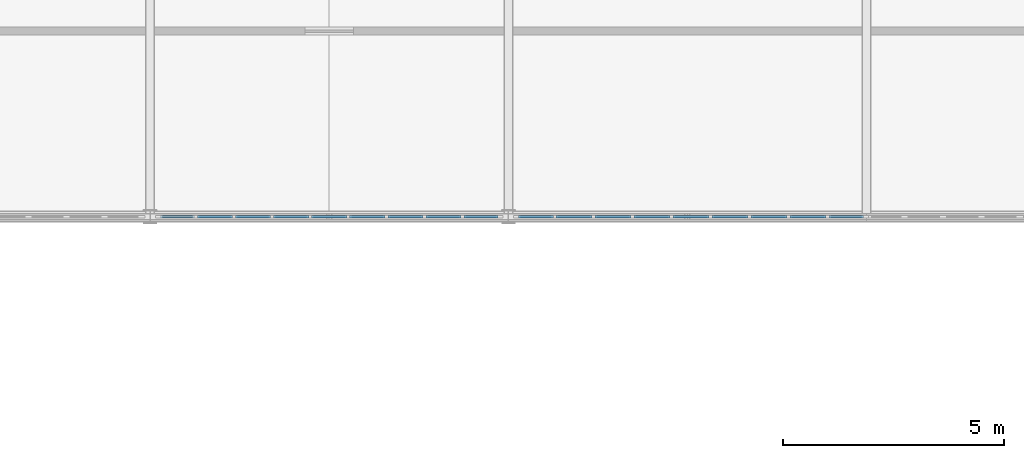
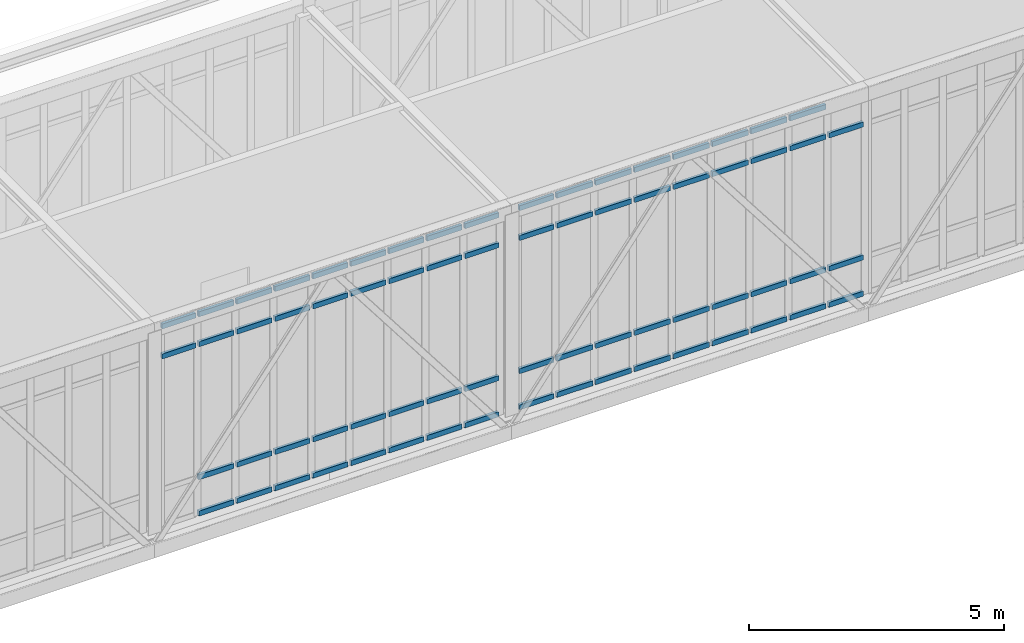
# One storey, part 57 of 107: 69 members, 2 elements without a shape of their own.
"""IFC4 building model written with IfcOpenShell, lengths in metres."""

from ifc_helpers import new_model, si_unit, direction, frame, origin, origin_2d, place, context, subcontext, project, spatial, rectangle, extrude, material, material_profile, profile_set, type_object, element, aggregate, save


model = new_model("IFC4")

# Units and contexts
model_context = context("Model", 3, precision=1e-05, world=origin(), true_north=direction((0.0, 1.0)))
body_context = subcontext(model_context, "Body", "Model", "MODEL_VIEW")
ifc_project = project(units=[si_unit("LENGTHUNIT", "METRE"), si_unit("AREAUNIT", "SQUARE_METRE"), si_unit("VOLUMEUNIT", "CUBIC_METRE"), si_unit("PLANEANGLEUNIT", "RADIAN"), si_unit("MASSUNIT", "GRAM", prefix="KILO")], contexts=[model_context])

# Site, building, storey
site_placement = place(None, origin())
site = spatial("IfcSite", under=ifc_project, at=site_placement, CompositionType="ELEMENT")
building_placement = place(site_placement, origin())
building = spatial("IfcBuilding", under=site, at=building_placement, Name="Tarnveldt Square Police Headquarters", CompositionType="ELEMENT")
storey_placement = place(building_placement, frame((0.0, 0.0, 14.699951171875)))
storey = spatial("IfcBuildingStorey", under=building, at=storey_placement, Name="L03", CompositionType="ELEMENT", Elevation=14.699951171875)

# Curtain wall, members
ifc_material_1 = material(Name="Triple-glazed low-e laminated vision glass", Category="glass")
curtain_wall_type_1 = type_object("IfcCurtainWallType", Name="CW-SB-776x484", PredefinedType="USERDEFINED", material=ifc_material_1)
curtain_wall_1_placement = place(storey_placement, origin())
curtain_wall_1 = element("IfcCurtainWall", 1, at=curtain_wall_1_placement, inside=storey, type_object=curtain_wall_type_1, Name="L03 Curtain Wall CW-L03-155", ObjectType="GLAZED CURTAIN WALL", PredefinedType="USERDEFINED")
ifc_material_2 = material(Name="Thermally broken anodised aluminium 6063-T6", Category="aluminium")
ifc_material_profile = material_profile(ifc_material_2, rectangle(XDim=0.06494140625, YDim=0.1201171875, at=origin_2d()), Name="CW-T65x120")
ifc_profile_set = profile_set([ifc_material_profile], Name="Thermally broken anodised aluminium 6063-T6")
member_type = type_object("IfcMemberType", Name="CWT-65x120", PredefinedType="USERDEFINED", material=ifc_profile_set)
member_1_placement = place(storey_placement, frame((73.134033203125, 72.0, 4.090087890625), z_axis=(1.0, 0.0, 0.0), x_axis=(0.0, 1.0, 0.0)))
member_1 = element("IfcMember", 2, at=member_1_placement, type_object=member_type, Name="CW-SB90 transom 1.3", ObjectType="TRANSOM", PredefinedType="USERDEFINED", context=body_context, shape_type="SweptSolid", body=[
    extrude(rectangle(XDim=0.06494140625, YDim=0.1201171875, at=origin_2d()), origin(), (0.0, 0.0, 1.0), 0.764892578125),
])
member_2_placement = place(storey_placement, frame((73.134033203125, 72.0, 4.8076171875), z_axis=(1.0, 0.0, 0.0), x_axis=(0.0, 1.0, 0.0)))
member_2 = element("IfcMember", 3, at=member_2_placement, type_object=member_type, Name="CW-SB90 transom 1.4", ObjectType="TRANSOM", PredefinedType="USERDEFINED", context=body_context, shape_type="SweptSolid", body=[
    extrude(rectangle(XDim=0.06494140625, YDim=0.1201171875, at=origin_2d()), origin(), (0.0, 0.0, 1.0), 0.764892578125),
])
member_3_placement = place(storey_placement, frame((73.9638671875, 72.0, 0.032470703125), z_axis=(1.0, 0.0, 0.0), x_axis=(0.0, 1.0, 0.0)))
member_3 = element("IfcMember", 4, at=member_3_placement, type_object=member_type, Name="CW-SB90 transom 2.1", ObjectType="TRANSOM", PredefinedType="USERDEFINED", context=body_context, shape_type="SweptSolid", body=[
    extrude(rectangle(XDim=0.06494140625, YDim=0.1201171875, at=origin_2d()), origin(), (0.0, 0.0, 1.0), 0.797607421875),
])
member_4_placement = place(storey_placement, frame((73.9638671875, 72.0, 0.900146484375), z_axis=(1.0, 0.0, 0.0), x_axis=(0.0, 1.0, 0.0)))
member_4 = element("IfcMember", 5, at=member_4_placement, type_object=member_type, Name="CW-SB90 transom 2.2", ObjectType="TRANSOM", PredefinedType="USERDEFINED", context=body_context, shape_type="SweptSolid", body=[
    extrude(rectangle(XDim=0.06494140625, YDim=0.1201171875, at=origin_2d()), origin(), (0.0, 0.0, 1.0), 0.797607421875),
])
member_5_placement = place(storey_placement, frame((73.9638671875, 72.0, 4.090087890625), z_axis=(1.0, 0.0, 0.0), x_axis=(0.0, 1.0, 0.0)))
member_5 = element("IfcMember", 6, at=member_5_placement, type_object=member_type, Name="CW-SB90 transom 2.3", ObjectType="TRANSOM", PredefinedType="USERDEFINED", context=body_context, shape_type="SweptSolid", body=[
    extrude(rectangle(XDim=0.06494140625, YDim=0.1201171875, at=origin_2d()), origin(), (0.0, 0.0, 1.0), 0.797607421875),
])
member_6_placement = place(storey_placement, frame((73.9638671875, 72.0, 4.8076171875), z_axis=(1.0, 0.0, 0.0), x_axis=(0.0, 1.0, 0.0)))
member_6 = element("IfcMember", 7, at=member_6_placement, type_object=member_type, Name="CW-SB90 transom 2.4", ObjectType="TRANSOM", PredefinedType="USERDEFINED", context=body_context, shape_type="SweptSolid", body=[
    extrude(rectangle(XDim=0.06494140625, YDim=0.1201171875, at=origin_2d()), origin(), (0.0, 0.0, 1.0), 0.797607421875),
])
member_7_placement = place(storey_placement, frame((74.826416015625, 72.0, 0.032470703125), z_axis=(1.0, 0.0, 0.0), x_axis=(0.0, 1.0, 0.0)))
member_7 = element("IfcMember", 8, at=member_7_placement, type_object=member_type, Name="CW-SB90 transom 3.1", ObjectType="TRANSOM", PredefinedType="USERDEFINED", context=body_context, shape_type="SweptSolid", body=[
    extrude(rectangle(XDim=0.06494140625, YDim=0.1201171875, at=origin_2d()), origin(), (0.0, 0.0, 1.0), 0.79736328125),
])
member_8_placement = place(storey_placement, frame((74.826416015625, 72.0, 0.900146484375), z_axis=(1.0, 0.0, 0.0), x_axis=(0.0, 1.0, 0.0)))
member_8 = element("IfcMember", 9, at=member_8_placement, type_object=member_type, Name="CW-SB90 transom 3.2", ObjectType="TRANSOM", PredefinedType="USERDEFINED", context=body_context, shape_type="SweptSolid", body=[
    extrude(rectangle(XDim=0.06494140625, YDim=0.1201171875, at=origin_2d()), origin(), (0.0, 0.0, 1.0), 0.79736328125),
])
member_9_placement = place(storey_placement, frame((74.826416015625, 72.0, 4.090087890625), z_axis=(1.0, 0.0, 0.0), x_axis=(0.0, 1.0, 0.0)))
member_9 = element("IfcMember", 10, at=member_9_placement, type_object=member_type, Name="CW-SB90 transom 3.3", ObjectType="TRANSOM", PredefinedType="USERDEFINED", context=body_context, shape_type="SweptSolid", body=[
    extrude(rectangle(XDim=0.06494140625, YDim=0.1201171875, at=origin_2d()), origin(), (0.0, 0.0, 1.0), 0.79736328125),
])
member_10_placement = place(storey_placement, frame((74.826416015625, 72.0, 4.8076171875), z_axis=(1.0, 0.0, 0.0), x_axis=(0.0, 1.0, 0.0)))
member_10 = element("IfcMember", 11, at=member_10_placement, type_object=member_type, Name="CW-SB90 transom 3.4", ObjectType="TRANSOM", PredefinedType="USERDEFINED", context=body_context, shape_type="SweptSolid", body=[
    extrude(rectangle(XDim=0.06494140625, YDim=0.1201171875, at=origin_2d()), origin(), (0.0, 0.0, 1.0), 0.79736328125),
])
member_11_placement = place(storey_placement, frame((75.688720703125, 72.0, 0.032470703125), z_axis=(1.0, 0.0, 0.0), x_axis=(0.0, 1.0, 0.0)))
member_11 = element("IfcMember", 12, at=member_11_placement, type_object=member_type, Name="CW-SB90 transom 4.1", ObjectType="TRANSOM", PredefinedType="USERDEFINED", context=body_context, shape_type="SweptSolid", body=[
    extrude(rectangle(XDim=0.06494140625, YDim=0.1201171875, at=origin_2d()), origin(), (0.0, 0.0, 1.0), 0.797607421875),
])
member_12_placement = place(storey_placement, frame((75.688720703125, 72.0, 0.900146484375), z_axis=(1.0, 0.0, 0.0), x_axis=(0.0, 1.0, 0.0)))
member_12 = element("IfcMember", 13, at=member_12_placement, type_object=member_type, Name="CW-SB90 transom 4.2", ObjectType="TRANSOM", PredefinedType="USERDEFINED", context=body_context, shape_type="SweptSolid", body=[
    extrude(rectangle(XDim=0.06494140625, YDim=0.1201171875, at=origin_2d()), origin(), (0.0, 0.0, 1.0), 0.797607421875),
])
member_13_placement = place(storey_placement, frame((75.688720703125, 72.0, 4.090087890625), z_axis=(1.0, 0.0, 0.0), x_axis=(0.0, 1.0, 0.0)))
member_13 = element("IfcMember", 14, at=member_13_placement, type_object=member_type, Name="CW-SB90 transom 4.3", ObjectType="TRANSOM", PredefinedType="USERDEFINED", context=body_context, shape_type="SweptSolid", body=[
    extrude(rectangle(XDim=0.06494140625, YDim=0.1201171875, at=origin_2d()), origin(), (0.0, 0.0, 1.0), 0.797607421875),
])
member_14_placement = place(storey_placement, frame((75.688720703125, 72.0, 4.8076171875), z_axis=(1.0, 0.0, 0.0), x_axis=(0.0, 1.0, 0.0)))
member_14 = element("IfcMember", 15, at=member_14_placement, type_object=member_type, Name="CW-SB90 transom 4.4", ObjectType="TRANSOM", PredefinedType="USERDEFINED", context=body_context, shape_type="SweptSolid", body=[
    extrude(rectangle(XDim=0.06494140625, YDim=0.1201171875, at=origin_2d()), origin(), (0.0, 0.0, 1.0), 0.797607421875),
])
member_15_placement = place(storey_placement, frame((76.55126953125, 72.0, 0.032470703125), z_axis=(1.0, 0.0, 0.0), x_axis=(0.0, 1.0, 0.0)))
member_15 = element("IfcMember", 16, at=member_15_placement, type_object=member_type, Name="CW-SB90 transom 5.1", ObjectType="TRANSOM", PredefinedType="USERDEFINED", context=body_context, shape_type="SweptSolid", body=[
    extrude(rectangle(XDim=0.06494140625, YDim=0.1201171875, at=origin_2d()), origin(), (0.0, 0.0, 1.0), 0.79736328125),
])
member_16_placement = place(storey_placement, frame((76.55126953125, 72.0, 0.900146484375), z_axis=(1.0, 0.0, 0.0), x_axis=(0.0, 1.0, 0.0)))
member_16 = element("IfcMember", 17, at=member_16_placement, type_object=member_type, Name="CW-SB90 transom 5.2", ObjectType="TRANSOM", PredefinedType="USERDEFINED", context=body_context, shape_type="SweptSolid", body=[
    extrude(rectangle(XDim=0.06494140625, YDim=0.1201171875, at=origin_2d()), origin(), (0.0, 0.0, 1.0), 0.79736328125),
])
member_17_placement = place(storey_placement, frame((76.55126953125, 72.0, 4.090087890625), z_axis=(1.0, 0.0, 0.0), x_axis=(0.0, 1.0, 0.0)))
member_17 = element("IfcMember", 18, at=member_17_placement, type_object=member_type, Name="CW-SB90 transom 5.3", ObjectType="TRANSOM", PredefinedType="USERDEFINED", context=body_context, shape_type="SweptSolid", body=[
    extrude(rectangle(XDim=0.06494140625, YDim=0.1201171875, at=origin_2d()), origin(), (0.0, 0.0, 1.0), 0.79736328125),
])
member_18_placement = place(storey_placement, frame((76.55126953125, 72.0, 4.8076171875), z_axis=(1.0, 0.0, 0.0), x_axis=(0.0, 1.0, 0.0)))
member_18 = element("IfcMember", 19, at=member_18_placement, type_object=member_type, Name="CW-SB90 transom 5.4", ObjectType="TRANSOM", PredefinedType="USERDEFINED", context=body_context, shape_type="SweptSolid", body=[
    extrude(rectangle(XDim=0.06494140625, YDim=0.1201171875, at=origin_2d()), origin(), (0.0, 0.0, 1.0), 0.79736328125),
])
member_19_placement = place(storey_placement, frame((77.413818359375, 72.0, 0.032470703125), z_axis=(1.0, 0.0, 0.0), x_axis=(0.0, 1.0, 0.0)))
member_19 = element("IfcMember", 20, at=member_19_placement, type_object=member_type, Name="CW-SB90 transom 6.1", ObjectType="TRANSOM", PredefinedType="USERDEFINED", context=body_context, shape_type="SweptSolid", body=[
    extrude(rectangle(XDim=0.06494140625, YDim=0.1201171875, at=origin_2d()), origin(), (0.0, 0.0, 1.0), 0.79736328125),
])
member_20_placement = place(storey_placement, frame((77.413818359375, 72.0, 0.900146484375), z_axis=(1.0, 0.0, 0.0), x_axis=(0.0, 1.0, 0.0)))
member_20 = element("IfcMember", 21, at=member_20_placement, type_object=member_type, Name="CW-SB90 transom 6.2", ObjectType="TRANSOM", PredefinedType="USERDEFINED", context=body_context, shape_type="SweptSolid", body=[
    extrude(rectangle(XDim=0.06494140625, YDim=0.1201171875, at=origin_2d()), origin(), (0.0, 0.0, 1.0), 0.79736328125),
])
member_21_placement = place(storey_placement, frame((77.413818359375, 72.0, 4.090087890625), z_axis=(1.0, 0.0, 0.0), x_axis=(0.0, 1.0, 0.0)))
member_21 = element("IfcMember", 22, at=member_21_placement, type_object=member_type, Name="CW-SB90 transom 6.3", ObjectType="TRANSOM", PredefinedType="USERDEFINED", context=body_context, shape_type="SweptSolid", body=[
    extrude(rectangle(XDim=0.06494140625, YDim=0.1201171875, at=origin_2d()), origin(), (0.0, 0.0, 1.0), 0.79736328125),
])
member_22_placement = place(storey_placement, frame((77.413818359375, 72.0, 4.8076171875), z_axis=(1.0, 0.0, 0.0), x_axis=(0.0, 1.0, 0.0)))
member_22 = element("IfcMember", 23, at=member_22_placement, type_object=member_type, Name="CW-SB90 transom 6.4", ObjectType="TRANSOM", PredefinedType="USERDEFINED", context=body_context, shape_type="SweptSolid", body=[
    extrude(rectangle(XDim=0.06494140625, YDim=0.1201171875, at=origin_2d()), origin(), (0.0, 0.0, 1.0), 0.79736328125),
])
member_23_placement = place(storey_placement, frame((78.276123046875, 72.0, 0.032470703125), z_axis=(1.0, 0.0, 0.0), x_axis=(0.0, 1.0, 0.0)))
member_23 = element("IfcMember", 24, at=member_23_placement, type_object=member_type, Name="CW-SB90 transom 7.1", ObjectType="TRANSOM", PredefinedType="USERDEFINED", context=body_context, shape_type="SweptSolid", body=[
    extrude(rectangle(XDim=0.06494140625, YDim=0.1201171875, at=origin_2d()), origin(), (0.0, 0.0, 1.0), 0.797607421875),
])
member_24_placement = place(storey_placement, frame((78.276123046875, 72.0, 0.900146484375), z_axis=(1.0, 0.0, 0.0), x_axis=(0.0, 1.0, 0.0)))
member_24 = element("IfcMember", 25, at=member_24_placement, type_object=member_type, Name="CW-SB90 transom 7.2", ObjectType="TRANSOM", PredefinedType="USERDEFINED", context=body_context, shape_type="SweptSolid", body=[
    extrude(rectangle(XDim=0.06494140625, YDim=0.1201171875, at=origin_2d()), origin(), (0.0, 0.0, 1.0), 0.797607421875),
])
member_25_placement = place(storey_placement, frame((78.276123046875, 72.0, 4.090087890625), z_axis=(1.0, 0.0, 0.0), x_axis=(0.0, 1.0, 0.0)))
member_25 = element("IfcMember", 26, at=member_25_placement, type_object=member_type, Name="CW-SB90 transom 7.3", ObjectType="TRANSOM", PredefinedType="USERDEFINED", context=body_context, shape_type="SweptSolid", body=[
    extrude(rectangle(XDim=0.06494140625, YDim=0.1201171875, at=origin_2d()), origin(), (0.0, 0.0, 1.0), 0.797607421875),
])
member_26_placement = place(storey_placement, frame((78.276123046875, 72.0, 4.8076171875), z_axis=(1.0, 0.0, 0.0), x_axis=(0.0, 1.0, 0.0)))
member_26 = element("IfcMember", 27, at=member_26_placement, type_object=member_type, Name="CW-SB90 transom 7.4", ObjectType="TRANSOM", PredefinedType="USERDEFINED", context=body_context, shape_type="SweptSolid", body=[
    extrude(rectangle(XDim=0.06494140625, YDim=0.1201171875, at=origin_2d()), origin(), (0.0, 0.0, 1.0), 0.797607421875),
])
member_27_placement = place(storey_placement, frame((79.138671875, 72.0, 0.032470703125), z_axis=(1.0, 0.0, 0.0), x_axis=(0.0, 1.0, 0.0)))
member_27 = element("IfcMember", 28, at=member_27_placement, type_object=member_type, Name="CW-SB90 transom 8.1", ObjectType="TRANSOM", PredefinedType="USERDEFINED", context=body_context, shape_type="SweptSolid", body=[
    extrude(rectangle(XDim=0.06494140625, YDim=0.1201171875, at=origin_2d()), origin(), (0.0, 0.0, 1.0), 0.79736328125),
])
member_28_placement = place(storey_placement, frame((79.138671875, 72.0, 0.900146484375), z_axis=(1.0, 0.0, 0.0), x_axis=(0.0, 1.0, 0.0)))
member_28 = element("IfcMember", 29, at=member_28_placement, type_object=member_type, Name="CW-SB90 transom 8.2", ObjectType="TRANSOM", PredefinedType="USERDEFINED", context=body_context, shape_type="SweptSolid", body=[
    extrude(rectangle(XDim=0.06494140625, YDim=0.1201171875, at=origin_2d()), origin(), (0.0, 0.0, 1.0), 0.79736328125),
])
member_29_placement = place(storey_placement, frame((79.138671875, 72.0, 4.090087890625), z_axis=(1.0, 0.0, 0.0), x_axis=(0.0, 1.0, 0.0)))
member_29 = element("IfcMember", 30, at=member_29_placement, type_object=member_type, Name="CW-SB90 transom 8.3", ObjectType="TRANSOM", PredefinedType="USERDEFINED", context=body_context, shape_type="SweptSolid", body=[
    extrude(rectangle(XDim=0.06494140625, YDim=0.1201171875, at=origin_2d()), origin(), (0.0, 0.0, 1.0), 0.79736328125),
])
member_30_placement = place(storey_placement, frame((79.138671875, 72.0, 4.8076171875), z_axis=(1.0, 0.0, 0.0), x_axis=(0.0, 1.0, 0.0)))
member_30 = element("IfcMember", 31, at=member_30_placement, type_object=member_type, Name="CW-SB90 transom 8.4", ObjectType="TRANSOM", PredefinedType="USERDEFINED", context=body_context, shape_type="SweptSolid", body=[
    extrude(rectangle(XDim=0.06494140625, YDim=0.1201171875, at=origin_2d()), origin(), (0.0, 0.0, 1.0), 0.79736328125),
])
member_31_placement = place(storey_placement, frame((80.0009765625, 72.0, 0.032470703125), z_axis=(1.0, 0.0, 0.0), x_axis=(0.0, 1.0, 0.0)))
member_31 = element("IfcMember", 32, at=member_31_placement, type_object=member_type, Name="CW-SB90 transom 9.1", ObjectType="TRANSOM", PredefinedType="USERDEFINED", context=body_context, shape_type="SweptSolid", body=[
    extrude(rectangle(XDim=0.06494140625, YDim=0.1201171875, at=origin_2d()), origin(), (0.0, 0.0, 1.0), 0.76513671875),
])
member_32_placement = place(storey_placement, frame((80.0009765625, 72.0, 0.900146484375), z_axis=(1.0, 0.0, 0.0), x_axis=(0.0, 1.0, 0.0)))
member_32 = element("IfcMember", 33, at=member_32_placement, type_object=member_type, Name="CW-SB90 transom 9.2", ObjectType="TRANSOM", PredefinedType="USERDEFINED", context=body_context, shape_type="SweptSolid", body=[
    extrude(rectangle(XDim=0.06494140625, YDim=0.1201171875, at=origin_2d()), origin(), (0.0, 0.0, 1.0), 0.76513671875),
])
member_33_placement = place(storey_placement, frame((80.0009765625, 72.0, 4.090087890625), z_axis=(1.0, 0.0, 0.0), x_axis=(0.0, 1.0, 0.0)))
member_33 = element("IfcMember", 34, at=member_33_placement, type_object=member_type, Name="CW-SB90 transom 9.3", ObjectType="TRANSOM", PredefinedType="USERDEFINED", context=body_context, shape_type="SweptSolid", body=[
    extrude(rectangle(XDim=0.06494140625, YDim=0.1201171875, at=origin_2d()), origin(), (0.0, 0.0, 1.0), 0.76513671875),
])
member_34_placement = place(storey_placement, frame((80.0009765625, 72.0, 4.8076171875), z_axis=(1.0, 0.0, 0.0), x_axis=(0.0, 1.0, 0.0)))
member_34 = element("IfcMember", 35, at=member_34_placement, type_object=member_type, Name="CW-SB90 transom 9.4", ObjectType="TRANSOM", PredefinedType="USERDEFINED", context=body_context, shape_type="SweptSolid", body=[
    extrude(rectangle(XDim=0.06494140625, YDim=0.1201171875, at=origin_2d()), origin(), (0.0, 0.0, 1.0), 0.76513671875),
])
aggregate(curtain_wall_1, [member_1, member_2, member_3, member_4, member_5, member_6, member_7, member_8, member_9, member_10, member_11, member_12, member_13, member_14, member_15, member_16, member_17, member_18, member_19, member_20, member_21, member_22, member_23, member_24, member_25, member_26, member_27, member_28, member_29, member_30, member_31, member_32, member_33, member_34])

curtain_wall_type_2 = type_object("IfcCurtainWallType", Name="CW-SB-793x484", PredefinedType="USERDEFINED", material=ifc_material_1)
curtain_wall_2_placement = place(storey_placement, origin())
curtain_wall_2 = element("IfcCurtainWall", 36, at=curtain_wall_2_placement, inside=storey, type_object=curtain_wall_type_2, Name="L03 Curtain Wall CW-L03-156", ObjectType="GLAZED CURTAIN WALL", PredefinedType="USERDEFINED")
member_35_placement = place(storey_placement, frame((81.23388671875, 72.0, 0.032470703125), z_axis=(1.0, 0.0, 0.0), x_axis=(0.0, 1.0, 0.0)))
member_35 = element("IfcMember", 37, at=member_35_placement, type_object=member_type, Name="CW-SB91 transom 1.1", ObjectType="TRANSOM", PredefinedType="USERDEFINED", context=body_context, shape_type="SweptSolid", body=[
    extrude(rectangle(XDim=0.06494140625, YDim=0.1201171875, at=origin_2d()), origin(), (0.0, 0.0, 1.0), 0.783935546875),
])
member_36_placement = place(storey_placement, frame((81.23388671875, 72.0, 0.900146484375), z_axis=(1.0, 0.0, 0.0), x_axis=(0.0, 1.0, 0.0)))
member_36 = element("IfcMember", 38, at=member_36_placement, type_object=member_type, Name="CW-SB91 transom 1.2", ObjectType="TRANSOM", PredefinedType="USERDEFINED", context=body_context, shape_type="SweptSolid", body=[
    extrude(rectangle(XDim=0.06494140625, YDim=0.1201171875, at=origin_2d()), origin(), (0.0, 0.0, 1.0), 0.783935546875),
])
member_37_placement = place(storey_placement, frame((81.23388671875, 72.0, 4.090087890625), z_axis=(1.0, 0.0, 0.0), x_axis=(0.0, 1.0, 0.0)))
member_37 = element("IfcMember", 39, at=member_37_placement, type_object=member_type, Name="CW-SB91 transom 1.3", ObjectType="TRANSOM", PredefinedType="USERDEFINED", context=body_context, shape_type="SweptSolid", body=[
    extrude(rectangle(XDim=0.06494140625, YDim=0.1201171875, at=origin_2d()), origin(), (0.0, 0.0, 1.0), 0.783935546875),
])
member_38_placement = place(storey_placement, frame((81.23388671875, 72.0, 4.8076171875), z_axis=(1.0, 0.0, 0.0), x_axis=(0.0, 1.0, 0.0)))
member_38 = element("IfcMember", 40, at=member_38_placement, type_object=member_type, Name="CW-SB91 transom 1.4", ObjectType="TRANSOM", PredefinedType="USERDEFINED", context=body_context, shape_type="SweptSolid", body=[
    extrude(rectangle(XDim=0.06494140625, YDim=0.1201171875, at=origin_2d()), origin(), (0.0, 0.0, 1.0), 0.783935546875),
])
member_39_placement = place(storey_placement, frame((82.082763671875, 72.0, 0.032470703125), z_axis=(1.0, 0.0, 0.0), x_axis=(0.0, 1.0, 0.0)))
member_39 = element("IfcMember", 41, at=member_39_placement, type_object=member_type, Name="CW-SB91 transom 2.1", ObjectType="TRANSOM", PredefinedType="USERDEFINED", context=body_context, shape_type="SweptSolid", body=[
    extrude(rectangle(XDim=0.06494140625, YDim=0.1201171875, at=origin_2d()), origin(), (0.0, 0.0, 1.0), 0.816162109375),
])
member_40_placement = place(storey_placement, frame((82.082763671875, 72.0, 0.900146484375), z_axis=(1.0, 0.0, 0.0), x_axis=(0.0, 1.0, 0.0)))
member_40 = element("IfcMember", 42, at=member_40_placement, type_object=member_type, Name="CW-SB91 transom 2.2", ObjectType="TRANSOM", PredefinedType="USERDEFINED", context=body_context, shape_type="SweptSolid", body=[
    extrude(rectangle(XDim=0.06494140625, YDim=0.1201171875, at=origin_2d()), origin(), (0.0, 0.0, 1.0), 0.816162109375),
])
member_41_placement = place(storey_placement, frame((82.082763671875, 72.0, 4.090087890625), z_axis=(1.0, 0.0, 0.0), x_axis=(0.0, 1.0, 0.0)))
member_41 = element("IfcMember", 43, at=member_41_placement, type_object=member_type, Name="CW-SB91 transom 2.3", ObjectType="TRANSOM", PredefinedType="USERDEFINED", context=body_context, shape_type="SweptSolid", body=[
    extrude(rectangle(XDim=0.06494140625, YDim=0.1201171875, at=origin_2d()), origin(), (0.0, 0.0, 1.0), 0.816162109375),
])
member_42_placement = place(storey_placement, frame((82.082763671875, 72.0, 4.8076171875), z_axis=(1.0, 0.0, 0.0), x_axis=(0.0, 1.0, 0.0)))
member_42 = element("IfcMember", 44, at=member_42_placement, type_object=member_type, Name="CW-SB91 transom 2.4", ObjectType="TRANSOM", PredefinedType="USERDEFINED", context=body_context, shape_type="SweptSolid", body=[
    extrude(rectangle(XDim=0.06494140625, YDim=0.1201171875, at=origin_2d()), origin(), (0.0, 0.0, 1.0), 0.816162109375),
])
member_43_placement = place(storey_placement, frame((82.9638671875, 72.0, 0.032470703125), z_axis=(1.0, 0.0, 0.0), x_axis=(0.0, 1.0, 0.0)))
member_43 = element("IfcMember", 45, at=member_43_placement, type_object=member_type, Name="CW-SB91 transom 3.1", ObjectType="TRANSOM", PredefinedType="USERDEFINED", context=body_context, shape_type="SweptSolid", body=[
    extrude(rectangle(XDim=0.06494140625, YDim=0.1201171875, at=origin_2d()), origin(), (0.0, 0.0, 1.0), 0.81640625),
])
member_44_placement = place(storey_placement, frame((82.9638671875, 72.0, 0.900146484375), z_axis=(1.0, 0.0, 0.0), x_axis=(0.0, 1.0, 0.0)))
member_44 = element("IfcMember", 46, at=member_44_placement, type_object=member_type, Name="CW-SB91 transom 3.2", ObjectType="TRANSOM", PredefinedType="USERDEFINED", context=body_context, shape_type="SweptSolid", body=[
    extrude(rectangle(XDim=0.06494140625, YDim=0.1201171875, at=origin_2d()), origin(), (0.0, 0.0, 1.0), 0.81640625),
])
member_45_placement = place(storey_placement, frame((82.9638671875, 72.0, 4.090087890625), z_axis=(1.0, 0.0, 0.0), x_axis=(0.0, 1.0, 0.0)))
member_45 = element("IfcMember", 47, at=member_45_placement, type_object=member_type, Name="CW-SB91 transom 3.3", ObjectType="TRANSOM", PredefinedType="USERDEFINED", context=body_context, shape_type="SweptSolid", body=[
    extrude(rectangle(XDim=0.06494140625, YDim=0.1201171875, at=origin_2d()), origin(), (0.0, 0.0, 1.0), 0.81640625),
])
member_46_placement = place(storey_placement, frame((82.9638671875, 72.0, 4.8076171875), z_axis=(1.0, 0.0, 0.0), x_axis=(0.0, 1.0, 0.0)))
member_46 = element("IfcMember", 48, at=member_46_placement, type_object=member_type, Name="CW-SB91 transom 3.4", ObjectType="TRANSOM", PredefinedType="USERDEFINED", context=body_context, shape_type="SweptSolid", body=[
    extrude(rectangle(XDim=0.06494140625, YDim=0.1201171875, at=origin_2d()), origin(), (0.0, 0.0, 1.0), 0.81640625),
])
member_47_placement = place(storey_placement, frame((83.84521484375, 72.0, 0.032470703125), z_axis=(1.0, 0.0, 0.0), x_axis=(0.0, 1.0, 0.0)))
member_47 = element("IfcMember", 49, at=member_47_placement, type_object=member_type, Name="CW-SB91 transom 4.1", ObjectType="TRANSOM", PredefinedType="USERDEFINED", context=body_context, shape_type="SweptSolid", body=[
    extrude(rectangle(XDim=0.06494140625, YDim=0.1201171875, at=origin_2d()), origin(), (0.0, 0.0, 1.0), 0.816162109375),
])
member_48_placement = place(storey_placement, frame((83.84521484375, 72.0, 0.900146484375), z_axis=(1.0, 0.0, 0.0), x_axis=(0.0, 1.0, 0.0)))
member_48 = element("IfcMember", 50, at=member_48_placement, type_object=member_type, Name="CW-SB91 transom 4.2", ObjectType="TRANSOM", PredefinedType="USERDEFINED", context=body_context, shape_type="SweptSolid", body=[
    extrude(rectangle(XDim=0.06494140625, YDim=0.1201171875, at=origin_2d()), origin(), (0.0, 0.0, 1.0), 0.816162109375),
])
member_49_placement = place(storey_placement, frame((83.84521484375, 72.0, 4.090087890625), z_axis=(1.0, 0.0, 0.0), x_axis=(0.0, 1.0, 0.0)))
member_49 = element("IfcMember", 51, at=member_49_placement, type_object=member_type, Name="CW-SB91 transom 4.3", ObjectType="TRANSOM", PredefinedType="USERDEFINED", context=body_context, shape_type="SweptSolid", body=[
    extrude(rectangle(XDim=0.06494140625, YDim=0.1201171875, at=origin_2d()), origin(), (0.0, 0.0, 1.0), 0.816162109375),
])
member_50_placement = place(storey_placement, frame((83.84521484375, 72.0, 4.8076171875), z_axis=(1.0, 0.0, 0.0), x_axis=(0.0, 1.0, 0.0)))
member_50 = element("IfcMember", 52, at=member_50_placement, type_object=member_type, Name="CW-SB91 transom 4.4", ObjectType="TRANSOM", PredefinedType="USERDEFINED", context=body_context, shape_type="SweptSolid", body=[
    extrude(rectangle(XDim=0.06494140625, YDim=0.1201171875, at=origin_2d()), origin(), (0.0, 0.0, 1.0), 0.816162109375),
])
member_51_placement = place(storey_placement, frame((84.726318359375, 72.0, 0.032470703125), z_axis=(1.0, 0.0, 0.0), x_axis=(0.0, 1.0, 0.0)))
member_51 = element("IfcMember", 53, at=member_51_placement, type_object=member_type, Name="CW-SB91 transom 5.1", ObjectType="TRANSOM", PredefinedType="USERDEFINED", context=body_context, shape_type="SweptSolid", body=[
    extrude(rectangle(XDim=0.06494140625, YDim=0.1201171875, at=origin_2d()), origin(), (0.0, 0.0, 1.0), 0.81640625),
])
member_52_placement = place(storey_placement, frame((84.726318359375, 72.0, 0.900146484375), z_axis=(1.0, 0.0, 0.0), x_axis=(0.0, 1.0, 0.0)))
member_52 = element("IfcMember", 54, at=member_52_placement, type_object=member_type, Name="CW-SB91 transom 5.2", ObjectType="TRANSOM", PredefinedType="USERDEFINED", context=body_context, shape_type="SweptSolid", body=[
    extrude(rectangle(XDim=0.06494140625, YDim=0.1201171875, at=origin_2d()), origin(), (0.0, 0.0, 1.0), 0.81640625),
])
member_53_placement = place(storey_placement, frame((84.726318359375, 72.0, 4.090087890625), z_axis=(1.0, 0.0, 0.0), x_axis=(0.0, 1.0, 0.0)))
member_53 = element("IfcMember", 55, at=member_53_placement, type_object=member_type, Name="CW-SB91 transom 5.3", ObjectType="TRANSOM", PredefinedType="USERDEFINED", context=body_context, shape_type="SweptSolid", body=[
    extrude(rectangle(XDim=0.06494140625, YDim=0.1201171875, at=origin_2d()), origin(), (0.0, 0.0, 1.0), 0.81640625),
])
member_54_placement = place(storey_placement, frame((84.726318359375, 72.0, 4.8076171875), z_axis=(1.0, 0.0, 0.0), x_axis=(0.0, 1.0, 0.0)))
member_54 = element("IfcMember", 56, at=member_54_placement, type_object=member_type, Name="CW-SB91 transom 5.4", ObjectType="TRANSOM", PredefinedType="USERDEFINED", context=body_context, shape_type="SweptSolid", body=[
    extrude(rectangle(XDim=0.06494140625, YDim=0.1201171875, at=origin_2d()), origin(), (0.0, 0.0, 1.0), 0.81640625),
])
member_55_placement = place(storey_placement, frame((85.607666015625, 72.0, 0.032470703125), z_axis=(1.0, 0.0, 0.0), x_axis=(0.0, 1.0, 0.0)))
member_55 = element("IfcMember", 57, at=member_55_placement, type_object=member_type, Name="CW-SB91 transom 6.1", ObjectType="TRANSOM", PredefinedType="USERDEFINED", context=body_context, shape_type="SweptSolid", body=[
    extrude(rectangle(XDim=0.06494140625, YDim=0.1201171875, at=origin_2d()), origin(), (0.0, 0.0, 1.0), 0.816162109375),
])
member_56_placement = place(storey_placement, frame((85.607666015625, 72.0, 0.900146484375), z_axis=(1.0, 0.0, 0.0), x_axis=(0.0, 1.0, 0.0)))
member_56 = element("IfcMember", 58, at=member_56_placement, type_object=member_type, Name="CW-SB91 transom 6.2", ObjectType="TRANSOM", PredefinedType="USERDEFINED", context=body_context, shape_type="SweptSolid", body=[
    extrude(rectangle(XDim=0.06494140625, YDim=0.1201171875, at=origin_2d()), origin(), (0.0, 0.0, 1.0), 0.816162109375),
])
member_57_placement = place(storey_placement, frame((85.607666015625, 72.0, 4.090087890625), z_axis=(1.0, 0.0, 0.0), x_axis=(0.0, 1.0, 0.0)))
member_57 = element("IfcMember", 59, at=member_57_placement, type_object=member_type, Name="CW-SB91 transom 6.3", ObjectType="TRANSOM", PredefinedType="USERDEFINED", context=body_context, shape_type="SweptSolid", body=[
    extrude(rectangle(XDim=0.06494140625, YDim=0.1201171875, at=origin_2d()), origin(), (0.0, 0.0, 1.0), 0.816162109375),
])
member_58_placement = place(storey_placement, frame((85.607666015625, 72.0, 4.8076171875), z_axis=(1.0, 0.0, 0.0), x_axis=(0.0, 1.0, 0.0)))
member_58 = element("IfcMember", 60, at=member_58_placement, type_object=member_type, Name="CW-SB91 transom 6.4", ObjectType="TRANSOM", PredefinedType="USERDEFINED", context=body_context, shape_type="SweptSolid", body=[
    extrude(rectangle(XDim=0.06494140625, YDim=0.1201171875, at=origin_2d()), origin(), (0.0, 0.0, 1.0), 0.816162109375),
])
member_59_placement = place(storey_placement, frame((86.48876953125, 72.0, 0.032470703125), z_axis=(1.0, 0.0, 0.0), x_axis=(0.0, 1.0, 0.0)))
member_59 = element("IfcMember", 61, at=member_59_placement, type_object=member_type, Name="CW-SB91 transom 7.1", ObjectType="TRANSOM", PredefinedType="USERDEFINED", context=body_context, shape_type="SweptSolid", body=[
    extrude(rectangle(XDim=0.06494140625, YDim=0.1201171875, at=origin_2d()), origin(), (0.0, 0.0, 1.0), 0.81640625),
])
member_60_placement = place(storey_placement, frame((86.48876953125, 72.0, 0.900146484375), z_axis=(1.0, 0.0, 0.0), x_axis=(0.0, 1.0, 0.0)))
member_60 = element("IfcMember", 62, at=member_60_placement, type_object=member_type, Name="CW-SB91 transom 7.2", ObjectType="TRANSOM", PredefinedType="USERDEFINED", context=body_context, shape_type="SweptSolid", body=[
    extrude(rectangle(XDim=0.06494140625, YDim=0.1201171875, at=origin_2d()), origin(), (0.0, 0.0, 1.0), 0.81640625),
])
member_61_placement = place(storey_placement, frame((86.48876953125, 72.0, 4.090087890625), z_axis=(1.0, 0.0, 0.0), x_axis=(0.0, 1.0, 0.0)))
member_61 = element("IfcMember", 63, at=member_61_placement, type_object=member_type, Name="CW-SB91 transom 7.3", ObjectType="TRANSOM", PredefinedType="USERDEFINED", context=body_context, shape_type="SweptSolid", body=[
    extrude(rectangle(XDim=0.06494140625, YDim=0.1201171875, at=origin_2d()), origin(), (0.0, 0.0, 1.0), 0.81640625),
])
member_62_placement = place(storey_placement, frame((86.48876953125, 72.0, 4.8076171875), z_axis=(1.0, 0.0, 0.0), x_axis=(0.0, 1.0, 0.0)))
member_62 = element("IfcMember", 64, at=member_62_placement, type_object=member_type, Name="CW-SB91 transom 7.4", ObjectType="TRANSOM", PredefinedType="USERDEFINED", context=body_context, shape_type="SweptSolid", body=[
    extrude(rectangle(XDim=0.06494140625, YDim=0.1201171875, at=origin_2d()), origin(), (0.0, 0.0, 1.0), 0.81640625),
])
member_63_placement = place(storey_placement, frame((87.3701171875, 72.0, 0.032470703125), z_axis=(1.0, 0.0, 0.0), x_axis=(0.0, 1.0, 0.0)))
member_63 = element("IfcMember", 65, at=member_63_placement, type_object=member_type, Name="CW-SB91 transom 8.1", ObjectType="TRANSOM", PredefinedType="USERDEFINED", context=body_context, shape_type="SweptSolid", body=[
    extrude(rectangle(XDim=0.06494140625, YDim=0.1201171875, at=origin_2d()), origin(), (0.0, 0.0, 1.0), 0.816162109375),
])
member_64_placement = place(storey_placement, frame((87.3701171875, 72.0, 0.900146484375), z_axis=(1.0, 0.0, 0.0), x_axis=(0.0, 1.0, 0.0)))
member_64 = element("IfcMember", 66, at=member_64_placement, type_object=member_type, Name="CW-SB91 transom 8.2", ObjectType="TRANSOM", PredefinedType="USERDEFINED", context=body_context, shape_type="SweptSolid", body=[
    extrude(rectangle(XDim=0.06494140625, YDim=0.1201171875, at=origin_2d()), origin(), (0.0, 0.0, 1.0), 0.816162109375),
])
member_65_placement = place(storey_placement, frame((87.3701171875, 72.0, 4.090087890625), z_axis=(1.0, 0.0, 0.0), x_axis=(0.0, 1.0, 0.0)))
member_65 = element("IfcMember", 67, at=member_65_placement, type_object=member_type, Name="CW-SB91 transom 8.3", ObjectType="TRANSOM", PredefinedType="USERDEFINED", context=body_context, shape_type="SweptSolid", body=[
    extrude(rectangle(XDim=0.06494140625, YDim=0.1201171875, at=origin_2d()), origin(), (0.0, 0.0, 1.0), 0.816162109375),
])
member_66_placement = place(storey_placement, frame((87.3701171875, 72.0, 4.8076171875), z_axis=(1.0, 0.0, 0.0), x_axis=(0.0, 1.0, 0.0)))
member_66 = element("IfcMember", 68, at=member_66_placement, type_object=member_type, Name="CW-SB91 transom 8.4", ObjectType="TRANSOM", PredefinedType="USERDEFINED", context=body_context, shape_type="SweptSolid", body=[
    extrude(rectangle(XDim=0.06494140625, YDim=0.1201171875, at=origin_2d()), origin(), (0.0, 0.0, 1.0), 0.816162109375),
])
member_67_placement = place(storey_placement, frame((88.251220703125, 72.0, 0.032470703125), z_axis=(1.0, 0.0, 0.0), x_axis=(0.0, 1.0, 0.0)))
member_67 = element("IfcMember", 69, at=member_67_placement, type_object=member_type, Name="CW-SB91 transom 9.1", ObjectType="TRANSOM", PredefinedType="USERDEFINED", context=body_context, shape_type="SweptSolid", body=[
    extrude(rectangle(XDim=0.06494140625, YDim=0.1201171875, at=origin_2d()), origin(), (0.0, 0.0, 1.0), 0.78369140625),
])
member_68_placement = place(storey_placement, frame((88.251220703125, 72.0, 0.900146484375), z_axis=(1.0, 0.0, 0.0), x_axis=(0.0, 1.0, 0.0)))
member_68 = element("IfcMember", 70, at=member_68_placement, type_object=member_type, Name="CW-SB91 transom 9.2", ObjectType="TRANSOM", PredefinedType="USERDEFINED", context=body_context, shape_type="SweptSolid", body=[
    extrude(rectangle(XDim=0.06494140625, YDim=0.1201171875, at=origin_2d()), origin(), (0.0, 0.0, 1.0), 0.78369140625),
])
member_69_placement = place(storey_placement, frame((88.251220703125, 72.0, 4.090087890625), z_axis=(1.0, 0.0, 0.0), x_axis=(0.0, 1.0, 0.0)))
member_69 = element("IfcMember", 71, at=member_69_placement, type_object=member_type, Name="CW-SB91 transom 9.3", ObjectType="TRANSOM", PredefinedType="USERDEFINED", context=body_context, shape_type="SweptSolid", body=[
    extrude(rectangle(XDim=0.06494140625, YDim=0.1201171875, at=origin_2d()), origin(), (0.0, 0.0, 1.0), 0.78369140625),
])
aggregate(curtain_wall_2, [member_35, member_36, member_37, member_38, member_39, member_40, member_41, member_42, member_43, member_44, member_45, member_46, member_47, member_48, member_49, member_50, member_51, member_52, member_53, member_54, member_55, member_56, member_57, member_58, member_59, member_60, member_61, member_62, member_63, member_64, member_65, member_66, member_67, member_68, member_69])

save(model, "model.ifc")
